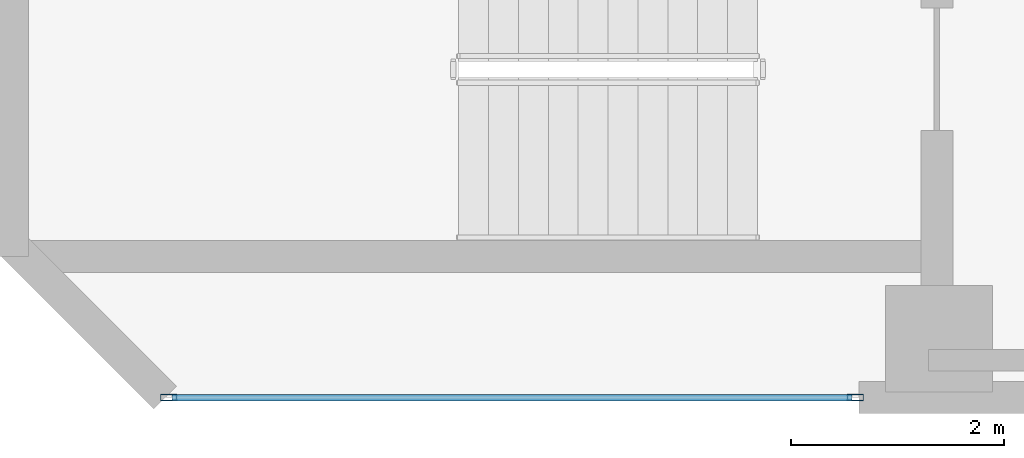
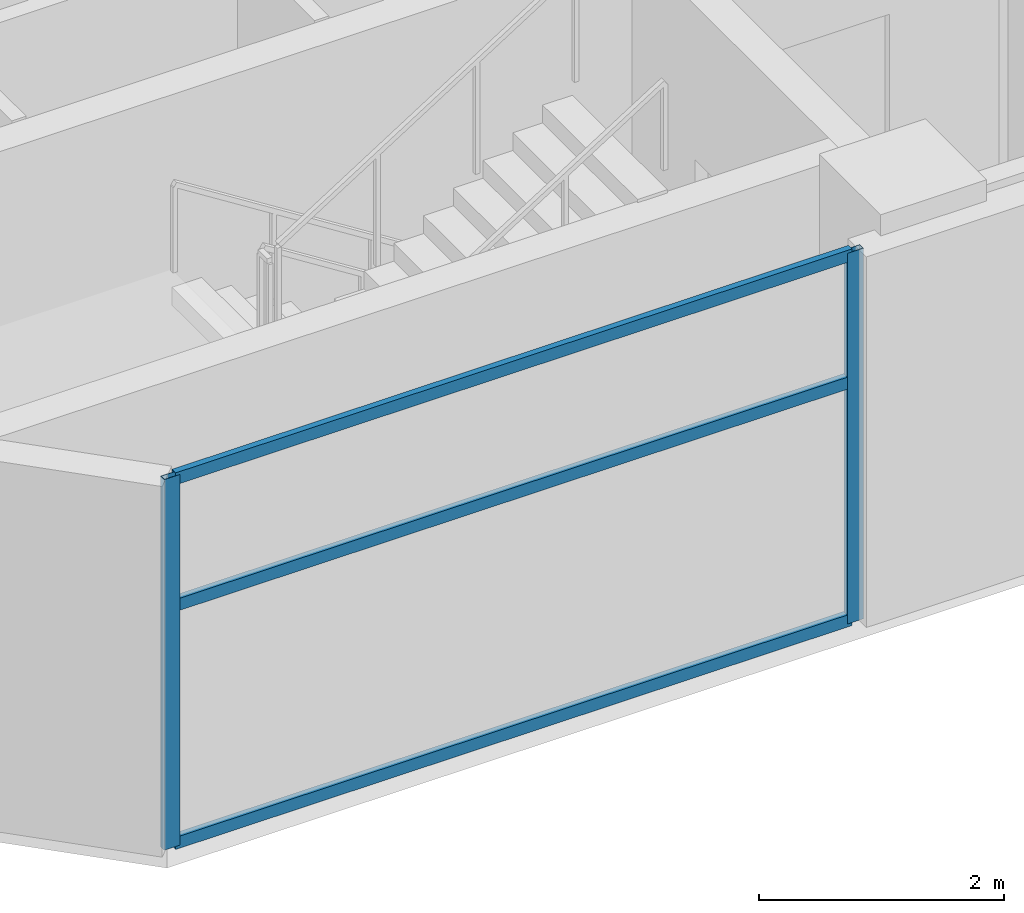
# One storey, part 2 of 17: 5 members, 1 element without a shape of its own.
"""IFC4 building model written with IfcOpenShell, lengths in metres."""

from ifc_helpers import new_model, si_unit, direction, frame, origin, origin_2d, place, context, subcontext, project, spatial, hollow_rectangle, extrude, material, layer, layer_set, material_profile, profile_set, type_object, element, aggregate, save


model = new_model("IFC4")

# Units and contexts
model_context = context("Model", 3, precision=1e-05, world=origin(), true_north=direction((0.0, 1.0)))
body_context = subcontext(model_context, "Body", "Model", "MODEL_VIEW")
ifc_project = project(units=[si_unit("LENGTHUNIT", "METRE"), si_unit("AREAUNIT", "SQUARE_METRE"), si_unit("VOLUMEUNIT", "CUBIC_METRE"), si_unit("PLANEANGLEUNIT", "RADIAN"), si_unit("MASSUNIT", "GRAM", prefix="KILO")], contexts=[model_context])

# Site, building, storey
site_placement = place(None, origin())
site = spatial("IfcSite", under=ifc_project, at=site_placement, CompositionType="ELEMENT")
building_placement = place(site_placement, origin())
building = spatial("IfcBuilding", under=site, at=building_placement, Name="Mawjaban Terraces University", CompositionType="ELEMENT")
storey_placement = place(building_placement, frame((0.0, 0.0, 183.60009765625)))
storey = spatial("IfcBuildingStorey", under=building, at=storey_placement, Name="L44", CompositionType="ELEMENT", Elevation=183.60009765625)

# Curtain wall, members
ifc_material_1 = material(Name="Anodised aluminium 6063-T6 and solar-control low-E glass", Category="aluminium")
ifc_layer = layer(ifc_material_1, 0.159912109375)
ifc_layer_set = layer_set([ifc_layer], Name="Anodised aluminium 6063-T6 and solar-control low-E glass")
curtain_wall_type = type_object("IfcCurtainWallType", Name="CWSystem_03_NorthWing", PredefinedType="NOTDEFINED", material=ifc_layer_set)
curtain_wall_placement = place(storey_placement, origin())
curtain_wall = element("IfcCurtainWall", 1, at=curtain_wall_placement, inside=storey, type_object=curtain_wall_type, Name="L44 Curtain Wall CW-03 Run 1.1", PredefinedType="NOTDEFINED")
ifc_material_2 = material(Name="Anodised aluminium 6063-T6", Category="aluminium")
ifc_material_profile_1 = material_profile(ifc_material_2, hollow_rectangle(XDim=0.06005859375, YDim=0.14990234375, WallThickness=0.00390625, at=origin_2d()), Name="ALU150X60X4")
ifc_profile_set_1 = profile_set([ifc_material_profile_1], Name="Anodised aluminium 6063-T6")
member_type_1 = type_object("IfcMemberType", Name="Mullion_CW-03", PredefinedType="MULLION", material=ifc_profile_set_1)
member_1_placement = place(storey_placement, frame((24.532470703125, 0.0, 0.0), z_axis=(0.0, 0.0, 1.0), x_axis=(0.0, 1.0, 0.0)))
member_1 = element("IfcMember", 2, at=member_1_placement, type_object=member_type_1, Name="CW-03 mullion 1", PredefinedType="MULLION", context=body_context, shape_type="SweptSolid", body=[
    extrude(hollow_rectangle(XDim=0.06005859375, YDim=0.14990234375, WallThickness=0.00390625, at=origin_2d()), origin(), (0.0, 0.0, 1.0), 3.68994140625),
])
member_2_placement = place(storey_placement, frame((30.967529296875, 0.0, 0.0), z_axis=(0.0, 0.0, 1.0), x_axis=(0.0, 1.0, 0.0)))
member_2 = element("IfcMember", 3, at=member_2_placement, type_object=member_type_1, Name="CW-03 mullion 2", PredefinedType="MULLION", context=body_context, shape_type="SweptSolid", body=[
    extrude(hollow_rectangle(XDim=0.06005859375, YDim=0.14990234375, WallThickness=0.00390625, at=origin_2d()), origin(), (0.0, 0.0, 1.0), 3.68994140625),
])
ifc_material_profile_2 = material_profile(ifc_material_2, hollow_rectangle(XDim=0.06005859375, YDim=0.1201171875, WallThickness=0.00341796875, at=origin_2d()), Name="ALU120X60X3.5")
ifc_profile_set_2 = profile_set([ifc_material_profile_2], Name="Anodised aluminium 6063-T6")
member_type_2 = type_object("IfcMemberType", Name="Transom_CW-03", PredefinedType="NOTDEFINED", material=ifc_profile_set_2)
member_3_placement = place(storey_placement, frame((24.56494140625, 0.0, 0.02978515625), z_axis=(1.0, 0.0, 0.0), x_axis=(0.0, 1.0, 0.0)))
member_3 = element("IfcMember", 4, at=member_3_placement, type_object=member_type_2, Name="CW-03 transom 1.1", ObjectType="TRANSOM", PredefinedType="USERDEFINED", context=body_context, shape_type="SweptSolid", body=[
    extrude(hollow_rectangle(XDim=0.06005859375, YDim=0.1201171875, WallThickness=0.00341796875, at=origin_2d()), origin(), (0.0, 0.0, 1.0), 6.3701171875),
])
member_4_placement = place(storey_placement, frame((24.56494140625, 0.0, 2.39794921875), z_axis=(1.0, 0.0, 0.0), x_axis=(0.0, 1.0, 0.0)))
member_4 = element("IfcMember", 5, at=member_4_placement, type_object=member_type_2, Name="CW-03 transom 1.2", ObjectType="TRANSOM", PredefinedType="USERDEFINED", context=body_context, shape_type="SweptSolid", body=[
    extrude(hollow_rectangle(XDim=0.06005859375, YDim=0.1201171875, WallThickness=0.00341796875, at=origin_2d()), origin(), (0.0, 0.0, 1.0), 6.3701171875),
])
member_5_placement = place(storey_placement, frame((24.56494140625, 0.0, 3.659912109375), z_axis=(1.0, 0.0, 0.0), x_axis=(0.0, 1.0, 0.0)))
member_5 = element("IfcMember", 6, at=member_5_placement, type_object=member_type_2, Name="CW-03 transom 1.3", ObjectType="TRANSOM", PredefinedType="USERDEFINED", context=body_context, shape_type="SweptSolid", body=[
    extrude(hollow_rectangle(XDim=0.06005859375, YDim=0.1201171875, WallThickness=0.00341796875, at=origin_2d()), origin(), (0.0, 0.0, 1.0), 6.3701171875),
])
aggregate(curtain_wall, [member_1, member_2, member_3, member_4, member_5])

save(model, "model.ifc")
